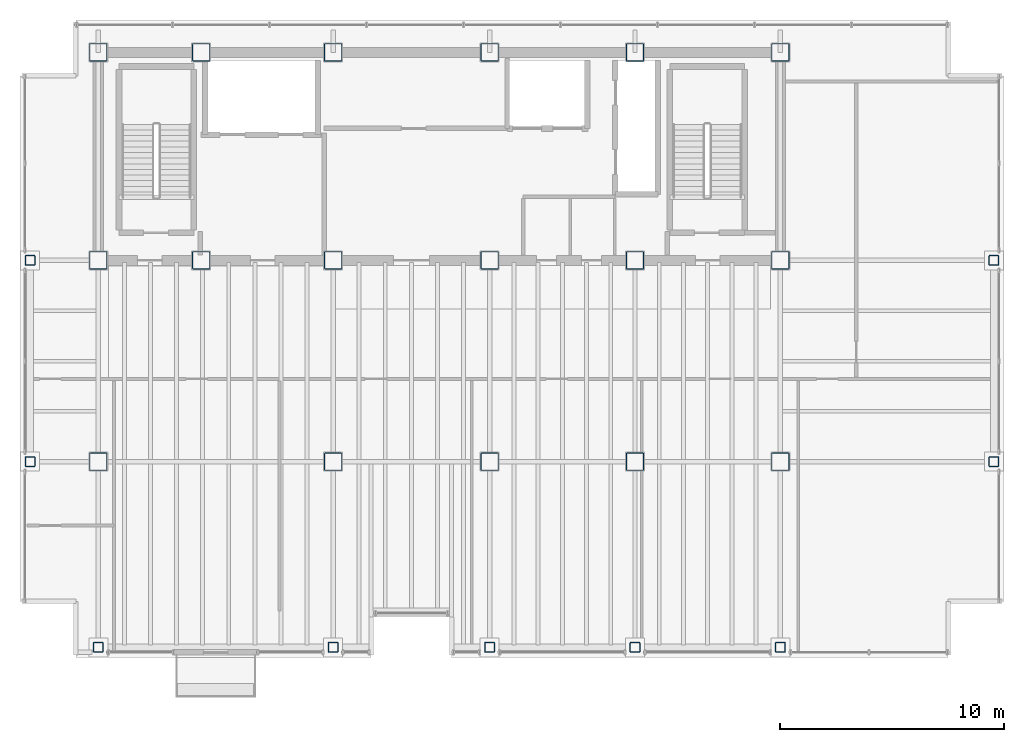
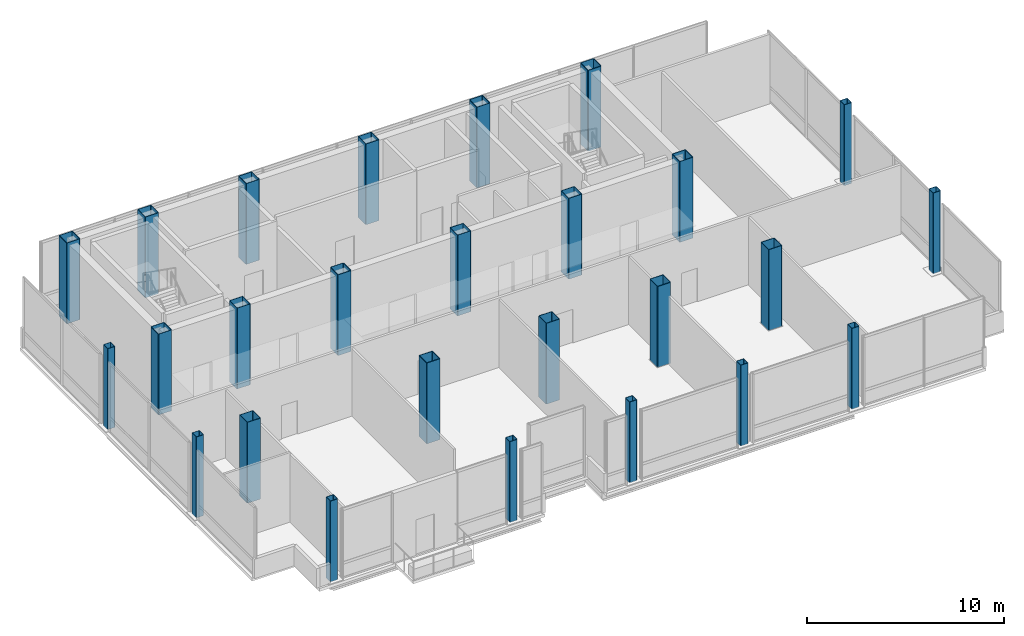
# One storey, part 1 of 15: 26 columns.
"""IFC4 building model written with IfcOpenShell, lengths in metres."""

from ifc_helpers import new_model, si_unit, direction, frame, origin, origin_2d, place, context, subcontext, project, spatial, hollow_rectangle, extrude, material, material_profile, profile_set, type_object, element, save


model = new_model("IFC4")

# Units and contexts
model_context = context("Model", 3, precision=1e-05, world=origin(), true_north=direction((0.0, 1.0)))
body_context = subcontext(model_context, "Body", "Model", "MODEL_VIEW")
ifc_project = project(units=[si_unit("LENGTHUNIT", "METRE"), si_unit("AREAUNIT", "SQUARE_METRE"), si_unit("VOLUMEUNIT", "CUBIC_METRE"), si_unit("PLANEANGLEUNIT", "RADIAN"), si_unit("MASSUNIT", "GRAM", prefix="KILO")], contexts=[model_context])

# Site, building, storey
site_placement = place(None, origin())
site = spatial("IfcSite", under=ifc_project, at=site_placement, CompositionType="ELEMENT")
building_placement = place(site_placement, origin())
building = spatial("IfcBuilding", under=site, at=building_placement, Name="Noeulbin Bourse Tower", CompositionType="ELEMENT")
storey_placement = place(building_placement, frame((0.0, 0.0, 206.10009765625)))
storey = spatial("IfcBuildingStorey", under=building, at=storey_placement, Name="L51", CompositionType="ELEMENT", Elevation=206.10009765625)

# Columns
ifc_material = material(Name="Steel S355", Category="steel")
ifc_material_profile_1 = material_profile(ifc_material, hollow_rectangle(XDim=0.449951171875, YDim=0.449951171875, WallThickness=0.02197265625, InnerFilletRadius=0.02197265625, OuterFilletRadius=0.0439453125, at=origin_2d()), Name="SHS-450x450x22", Category="LoadBearing")
ifc_profile_set_1 = profile_set([ifc_material_profile_1], Name="Steel S355")
column_type_1 = type_object("IfcColumnType", Name="COL-PER-Z3", PredefinedType="COLUMN", material=ifc_profile_set_1)
for number, where, z_axis, x_axis, name in (
    (1, (10.449951171875, 20.0, 0.0), (0.0, 0.0, 1.0), (1.0, 0.0, 0.0), "Tower Perimeter Column COL-PER-Z3 01"),
    (2, (10.449951171875, 29.0, 0.0), (0.0, 0.0, 1.0), (1.0, 0.0, 0.0), "Tower Perimeter Column COL-PER-Z3 02"),
    (3, (13.5, 11.699951171875, 0.0), (0.0, 0.0, 1.0), (1.0, 0.0, 0.0), "Tower Perimeter Column COL-PER-Z3 03"),
    (4, (24.0, 11.699951171875, 0.0), (0.0, 0.0, 1.0), (1.0, 0.0, 0.0), "Tower Perimeter Column COL-PER-Z3 04"),
    (5, (31.0, 11.699951171875, 0.0), (0.0, 0.0, 1.0), (1.0, 0.0, 0.0), "Tower Perimeter Column COL-PER-Z3 05"),
    (6, (37.5, 11.699951171875, 0.0), (0.0, 0.0, 1.0), (1.0, 0.0, 0.0), "Tower Perimeter Column COL-PER-Z3 06"),
    (7, (44.0, 11.699951171875, 0.0), (0.0, 0.0, 1.0), (1.0, 0.0, 0.0), "Tower Perimeter Column COL-PER-Z3 07"),
    (8, (53.550048828125, 20.0, 0.0), (0.0, 0.0, 1.0), (1.0, 0.0, 0.0), "Tower Perimeter Column COL-PER-Z3 08"),
    (9, (53.550048828125, 29.0, 0.0), (0.0, 0.0, 1.0), (1.0, 0.0, 0.0), "Tower Perimeter Column COL-PER-Z3 09"),
):
    element("IfcColumn", number, at=place(storey_placement, frame(where, z_axis=z_axis, x_axis=x_axis)), inside=storey, type_object=column_type_1, Name=name, PredefinedType="COLUMN", context=body_context, shape_type="SweptSolid", body=[
        extrude(hollow_rectangle(XDim=0.449951171875, YDim=0.449951171875, WallThickness=0.02197265625, InnerFilletRadius=0.02197265625, OuterFilletRadius=0.0439453125, at=origin_2d()), origin(), (0.0, 0.0, 1.0), 5.0),
    ])
ifc_material_profile_2 = material_profile(ifc_material, hollow_rectangle(XDim=0.800048828125, YDim=0.800048828125, WallThickness=0.031982421875, InnerFilletRadius=0.01611328125, OuterFilletRadius=0.048095703125, at=origin_2d()), Name="BOX-800x800x32", Category="LoadBearing")
ifc_profile_set_2 = profile_set([ifc_material_profile_2], Name="Steel S355")
column_type_2 = type_object("IfcColumnType", Name="COL-TRK-Z3", PredefinedType="COLUMN", material=ifc_profile_set_2)
for number, where, z_axis, x_axis, name in (
    (10, (13.5, 29.0, 0.0), (0.0, 0.0, 1.0), (1.0, 0.0, 0.0), "Tower Trunk Mega-Column COL-TRK-Z3 01"),
    (11, (13.5, 38.300048828125, 0.0), (0.0, 0.0, 1.0), (1.0, 0.0, 0.0), "Tower Trunk Mega-Column COL-TRK-Z3 02"),
    (12, (18.10009765625, 29.0, 0.0), (0.0, 0.0, 1.0), (1.0, 0.0, 0.0), "Tower Trunk Mega-Column COL-TRK-Z3 03"),
    (13, (18.10009765625, 38.300048828125, 0.0), (0.0, 0.0, 1.0), (1.0, 0.0, 0.0), "Tower Trunk Mega-Column COL-TRK-Z3 04"),
    (14, (24.0, 29.0, 0.0), (0.0, 0.0, 1.0), (1.0, 0.0, 0.0), "Tower Trunk Mega-Column COL-TRK-Z3 05"),
    (15, (24.0, 38.300048828125, 0.0), (0.0, 0.0, 1.0), (1.0, 0.0, 0.0), "Tower Trunk Mega-Column COL-TRK-Z3 06"),
    (16, (31.0, 29.0, 0.0), (0.0, 0.0, 1.0), (1.0, 0.0, 0.0), "Tower Trunk Mega-Column COL-TRK-Z3 07"),
    (17, (31.0, 38.300048828125, 0.0), (0.0, 0.0, 1.0), (1.0, 0.0, 0.0), "Tower Trunk Mega-Column COL-TRK-Z3 08"),
    (18, (37.5, 29.0, 0.0), (0.0, 0.0, 1.0), (1.0, 0.0, 0.0), "Tower Trunk Mega-Column COL-TRK-Z3 09"),
    (19, (37.5, 38.300048828125, 0.0), (0.0, 0.0, 1.0), (1.0, 0.0, 0.0), "Tower Trunk Mega-Column COL-TRK-Z3 10"),
    (20, (44.0, 29.0, 0.0), (0.0, 0.0, 1.0), (1.0, 0.0, 0.0), "Tower Trunk Mega-Column COL-TRK-Z3 11"),
    (21, (44.0, 38.300048828125, 0.0), (0.0, 0.0, 1.0), (1.0, 0.0, 0.0), "Tower Trunk Mega-Column COL-TRK-Z3 12"),
    (22, (13.5, 20.0, 0.0), (0.0, 0.0, 1.0), (1.0, 0.0, 0.0), "Tower Trunk Mega-Column COL-TRK-Z3 13"),
    (23, (24.0, 20.0, 0.0), (0.0, 0.0, 1.0), (1.0, 0.0, 0.0), "Tower Trunk Mega-Column COL-TRK-Z3 14"),
    (24, (31.0, 20.0, 0.0), (0.0, 0.0, 1.0), (1.0, 0.0, 0.0), "Tower Trunk Mega-Column COL-TRK-Z3 15"),
    (25, (37.5, 20.0, 0.0), (0.0, 0.0, 1.0), (1.0, 0.0, 0.0), "Tower Trunk Mega-Column COL-TRK-Z3 16"),
    (26, (44.0, 20.0, 0.0), (0.0, 0.0, 1.0), (1.0, 0.0, 0.0), "Tower Trunk Mega-Column COL-TRK-Z3 17"),
):
    element("IfcColumn", number, at=place(storey_placement, frame(where, z_axis=z_axis, x_axis=x_axis)), inside=storey, type_object=column_type_2, Name=name, PredefinedType="COLUMN", context=body_context, shape_type="SweptSolid", body=[
        extrude(hollow_rectangle(XDim=0.800048828125, YDim=0.800048828125, WallThickness=0.031982421875, InnerFilletRadius=0.01611328125, OuterFilletRadius=0.048095703125, at=origin_2d()), origin(), (0.0, 0.0, 1.0), 5.0),
    ])

save(model, "model.ifc")
